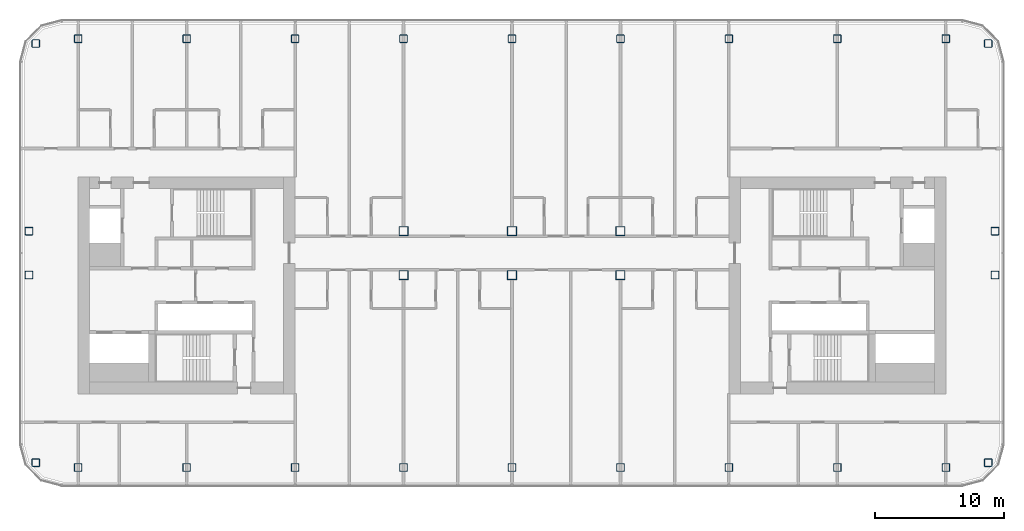
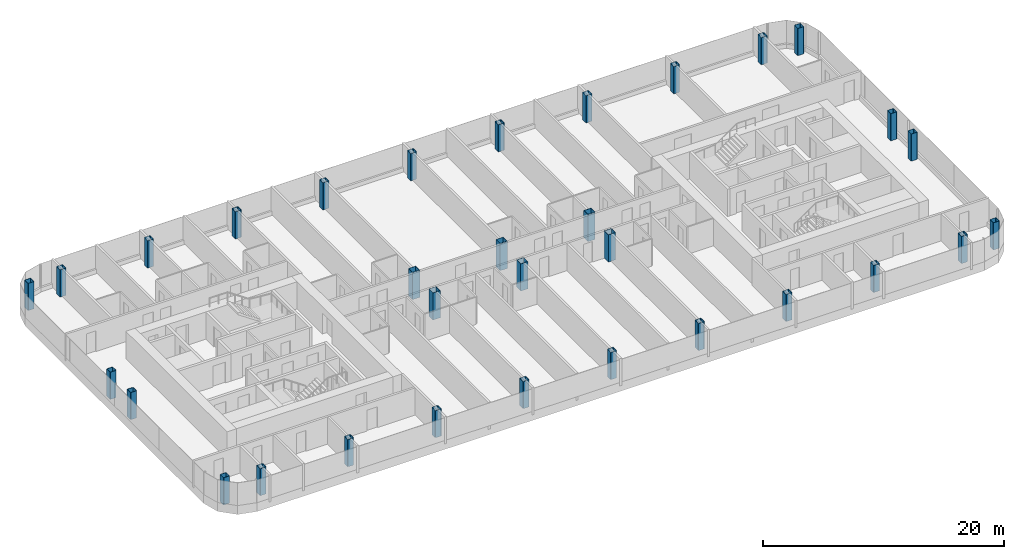
# One storey, part 1 of 26: 32 columns.
"""IFC4 building model written with IfcOpenShell, lengths in metres."""

from ifc_helpers import new_model, si_unit, direction, frame, origin, origin_2d, place, context, subcontext, project, spatial, hollow_rectangle, extrude, material, material_profile, profile_set, type_object, element, save


model = new_model("IFC4")

# Units and contexts
model_context = context("Model", 3, precision=1e-05, world=origin(), true_north=direction((0.0, 1.0)))
body_context = subcontext(model_context, "Body", "Model", "MODEL_VIEW")
ifc_project = project(units=[si_unit("LENGTHUNIT", "METRE"), si_unit("AREAUNIT", "SQUARE_METRE"), si_unit("VOLUMEUNIT", "CUBIC_METRE"), si_unit("PLANEANGLEUNIT", "RADIAN"), si_unit("MASSUNIT", "GRAM", prefix="KILO")], contexts=[model_context])

# Site, building, storey
site_placement = place(None, origin())
site = spatial("IfcSite", under=ifc_project, at=site_placement, CompositionType="ELEMENT")
building_placement = place(site_placement, origin())
building = spatial("IfcBuilding", under=site, at=building_placement, Name="Hakoniwa Tower and Hamabe Station Hall", CompositionType="ELEMENT")
storey_placement = place(building_placement, frame((0.0, 0.0, 189.800048828125)))
storey = spatial("IfcBuildingStorey", under=building, at=storey_placement, Name="L53", CompositionType="ELEMENT", Elevation=189.800048828125)

# Columns
ifc_material_1 = material(Name="Steel BCP325", Category="steel")
ifc_material_profile_1 = material_profile(ifc_material_1, hollow_rectangle(XDim=0.60009765625, YDim=0.60009765625, WallThickness=0.02490234375, InnerFilletRadius=0.03759765625, OuterFilletRadius=0.0625, at=origin_2d()), Name="BCP-600x600x25")
ifc_profile_set_1 = profile_set([ifc_material_profile_1], Name="Steel BCP325")
column_type_1 = type_object("IfcColumnType", Name="COLUMN BCP-600x600x25", PredefinedType="COLUMN", material=ifc_profile_set_1)
for number, where, z_axis, x_axis, name in (
    (1, (-36.877685546875, -13.728515625, 0.0), (0.0, 0.0, 1.0), (1.0, 0.0, 0.0), "Column B4-EW-A4"),
    (2, (-37.39990234375, 0.800048828125, 0.0), (0.0, 0.0, 1.0), (1.0, 0.0, 0.0), "Column B4-EW-C4"),
    (3, (-37.39990234375, 4.199951171875, 0.0), (0.0, 0.0, 1.0), (1.0, 0.0, 0.0), "Column B4-EW-D4"),
    (4, (-36.877685546875, 18.728515625, 0.0), (0.0, 0.0, 1.0), (1.0, 0.0, 0.0), "Column B4-EW-F4"),
    (5, (-33.60009765625, -14.10009765625, 0.0), (0.0, 0.0, 1.0), (1.0, 0.0, 0.0), "Column B4-3-A4"),
    (6, (-33.60009765625, 19.10009765625, 0.0), (0.0, 0.0, 1.0), (1.0, 0.0, 0.0), "Column B4-3-F4"),
    (7, (-25.199951171875, -14.10009765625, 0.0), (0.0, 0.0, 1.0), (1.0, 0.0, 0.0), "Column B4-4-A4"),
    (8, (-25.199951171875, 19.10009765625, 0.0), (0.0, 0.0, 1.0), (1.0, 0.0, 0.0), "Column B4-4-F4"),
    (9, (-16.800048828125, -14.10009765625, 0.0), (0.0, 0.0, 1.0), (1.0, 0.0, 0.0), "Column B4-5-A4"),
    (10, (-16.800048828125, 19.10009765625, 0.0), (0.0, 0.0, 1.0), (1.0, 0.0, 0.0), "Column B4-5-F4"),
    (11, (-8.39990234375, -14.10009765625, 0.0), (0.0, 0.0, 1.0), (1.0, 0.0, 0.0), "Column B4-6-A4"),
    (12, (-8.39990234375, 19.10009765625, 0.0), (0.0, 0.0, 1.0), (1.0, 0.0, 0.0), "Column B4-6-F4"),
    (13, (0.0, -14.10009765625, 0.0), (0.0, 0.0, 1.0), (1.0, 0.0, 0.0), "Column B4-7-A4"),
    (14, (0.0, 19.10009765625, 0.0), (0.0, 0.0, 1.0), (1.0, 0.0, 0.0), "Column B4-7-F4"),
    (15, (8.39990234375, -14.10009765625, 0.0), (0.0, 0.0, 1.0), (1.0, 0.0, 0.0), "Column B4-8-A4"),
    (16, (8.39990234375, 19.10009765625, 0.0), (0.0, 0.0, 1.0), (1.0, 0.0, 0.0), "Column B4-8-F4"),
    (17, (16.800048828125, -14.10009765625, 0.0), (0.0, 0.0, 1.0), (1.0, 0.0, 0.0), "Column B4-9-A4"),
    (18, (16.800048828125, 19.10009765625, 0.0), (0.0, 0.0, 1.0), (1.0, 0.0, 0.0), "Column B4-9-F4"),
    (19, (25.199951171875, -14.10009765625, 0.0), (0.0, 0.0, 1.0), (1.0, 0.0, 0.0), "Column B4-10-A4"),
    (20, (25.199951171875, 19.10009765625, 0.0), (0.0, 0.0, 1.0), (1.0, 0.0, 0.0), "Column B4-10-F4"),
    (21, (33.60009765625, -14.10009765625, 0.0), (0.0, 0.0, 1.0), (1.0, 0.0, 0.0), "Column B4-11-A4"),
    (22, (33.60009765625, 19.10009765625, 0.0), (0.0, 0.0, 1.0), (1.0, 0.0, 0.0), "Column B4-11-F4"),
    (23, (36.877685546875, -13.728515625, 0.0), (0.0, 0.0, 1.0), (1.0, 0.0, 0.0), "Column B4-EE-A4"),
    (24, (37.39990234375, 0.800048828125, 0.0), (0.0, 0.0, 1.0), (1.0, 0.0, 0.0), "Column B4-EE-C4"),
    (25, (37.39990234375, 4.199951171875, 0.0), (0.0, 0.0, 1.0), (1.0, 0.0, 0.0), "Column B4-EE-D4"),
    (26, (36.877685546875, 18.728515625, 0.0), (0.0, 0.0, 1.0), (1.0, 0.0, 0.0), "Column B4-EE-F4"),
):
    element("IfcColumn", number, at=place(storey_placement, frame(where, z_axis=z_axis, x_axis=x_axis)), inside=storey, type_object=column_type_1, Name=name, PredefinedType="COLUMN", context=body_context, shape_type="SweptSolid", body=[
        extrude(hollow_rectangle(XDim=0.60009765625, YDim=0.60009765625, WallThickness=0.02490234375, InnerFilletRadius=0.03759765625, OuterFilletRadius=0.0625, at=origin_2d()), origin(), (0.0, 0.0, 1.0), 2.75),
    ])
ifc_material_2 = material(Name="Steel SN490C", Category="steel")
ifc_material_profile_2 = material_profile(ifc_material_2, hollow_rectangle(XDim=0.699951171875, YDim=0.699951171875, WallThickness=0.028076171875, at=origin_2d()), Name="BX-700x700x28")
ifc_profile_set_2 = profile_set([ifc_material_profile_2], Name="Steel SN490C")
column_type_2 = type_object("IfcColumnType", Name="COLUMN BX-700x700x28", PredefinedType="COLUMN", material=ifc_profile_set_2)
for number, where, z_axis, x_axis, name in (
    (27, (-8.39990234375, 0.800048828125, 0.0), (0.0, 0.0, 1.0), (1.0, 0.0, 0.0), "Column B4-6-C4"),
    (28, (-8.39990234375, 4.199951171875, 0.0), (0.0, 0.0, 1.0), (1.0, 0.0, 0.0), "Column B4-6-D4"),
    (29, (0.0, 0.800048828125, 0.0), (0.0, 0.0, 1.0), (1.0, 0.0, 0.0), "Column B4-7-C4"),
    (30, (0.0, 4.199951171875, 0.0), (0.0, 0.0, 1.0), (1.0, 0.0, 0.0), "Column B4-7-D4"),
    (31, (8.39990234375, 0.800048828125, 0.0), (0.0, 0.0, 1.0), (1.0, 0.0, 0.0), "Column B4-8-C4"),
    (32, (8.39990234375, 4.199951171875, 0.0), (0.0, 0.0, 1.0), (1.0, 0.0, 0.0), "Column B4-8-D4"),
):
    element("IfcColumn", number, at=place(storey_placement, frame(where, z_axis=z_axis, x_axis=x_axis)), inside=storey, type_object=column_type_2, Name=name, PredefinedType="COLUMN", context=body_context, shape_type="SweptSolid", body=[
        extrude(hollow_rectangle(XDim=0.699951171875, YDim=0.699951171875, WallThickness=0.028076171875, at=origin_2d()), origin(), (0.0, 0.0, 1.0), 2.75),
    ])

save(model, "model.ifc")
